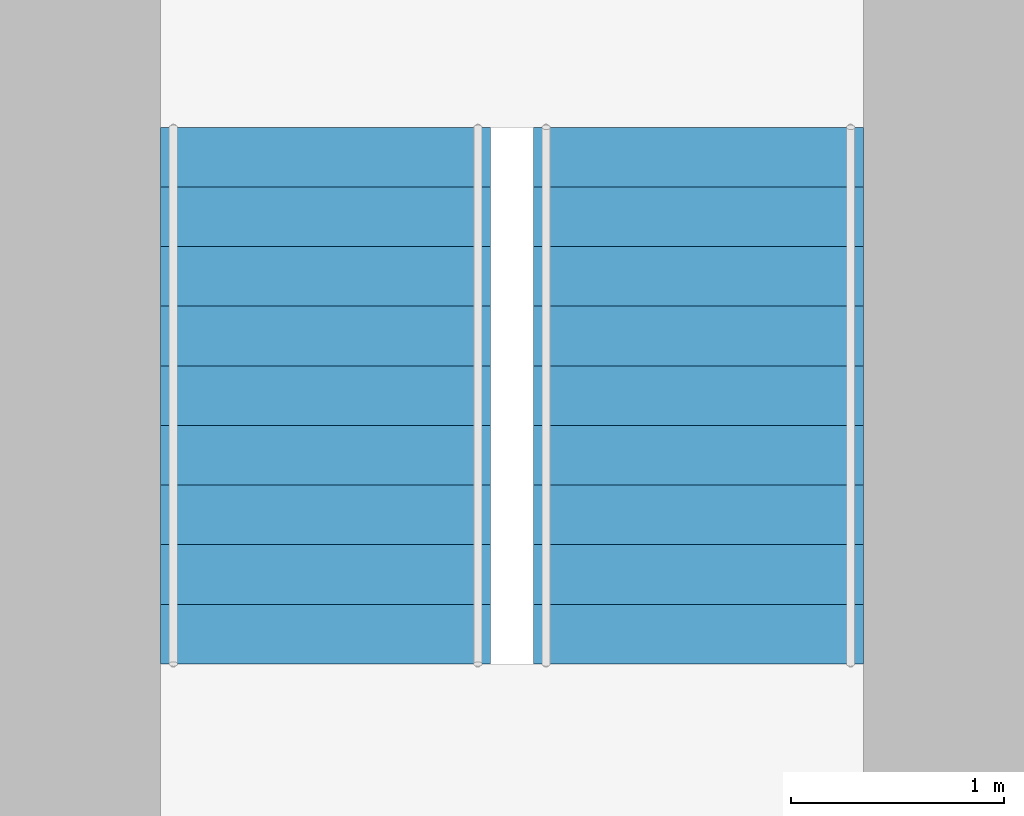
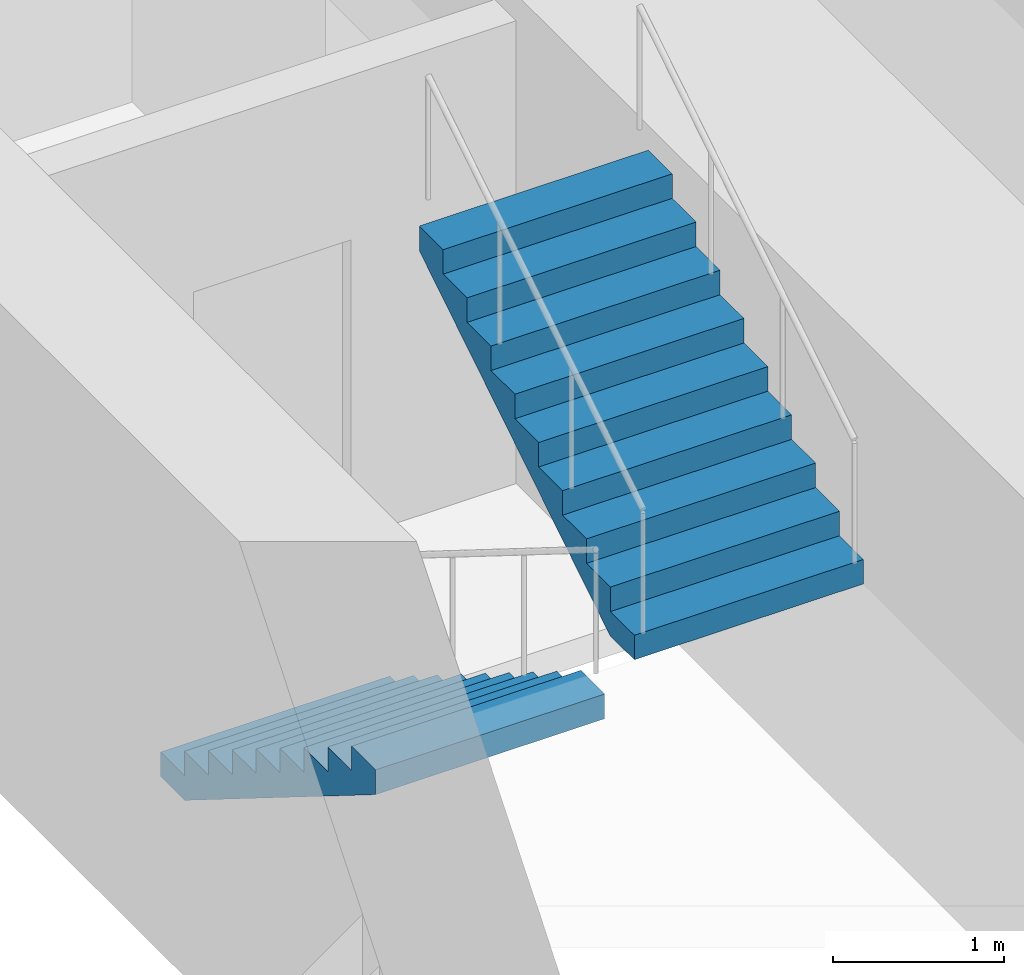
# One storey, part 10 of 11: 2 stair flights, 1 element without a shape of its own.
"""IFC4 building model written with IfcOpenShell, lengths in metres."""

from ifc_helpers import new_model, si_unit, direction, frame, origin, place, context, subcontext, project, spatial, polyline, outline, extrude, material, type_object, element, aggregate, save


model = new_model("IFC4")

# Units and contexts
model_context = context("Model", 3, precision=1e-05, world=origin(), true_north=direction((0.0, 1.0)))
body_context = subcontext(model_context, "Body", "Model", "MODEL_VIEW")
ifc_project = project(units=[si_unit("LENGTHUNIT", "METRE"), si_unit("AREAUNIT", "SQUARE_METRE"), si_unit("VOLUMEUNIT", "CUBIC_METRE"), si_unit("PLANEANGLEUNIT", "RADIAN"), si_unit("MASSUNIT", "GRAM", prefix="KILO")], contexts=[model_context])

# Site, building, storey
site_placement = place(None, origin())
site = spatial("IfcSite", under=ifc_project, at=site_placement, CompositionType="ELEMENT")
building_placement = place(site_placement, origin())
building = spatial("IfcBuilding", under=site, at=building_placement, Name="Trevanion Tower", CompositionType="ELEMENT")
storey_placement = place(building_placement, frame((0.0, 0.0, 239.699951171875)))
storey = spatial("IfcBuildingStorey", under=building, at=storey_placement, Name="L58", CompositionType="ELEMENT", Elevation=239.699951171875)

# Stair, stair flights
ifc_material_1 = material(Name="Concrete 5,000 psi on steel stringers", Category="concrete")
stair_type = type_object("IfcStairType", Name="ST stair", PredefinedType="HALF_TURN_STAIR", material=ifc_material_1)
stair_placement = place(storey_placement, origin())
stair = element("IfcStair", 1, at=stair_placement, inside=storey, type_object=stair_type, Name="ST1 L58", PredefinedType="HALF_TURN_STAIR")
ifc_material_2 = material(Name="Concrete 5,000 psi in steel pan", Category="concrete")
stair_flight_type = type_object("IfcStairFlightType", Name="STF stair flight", PredefinedType="STRAIGHT", material=ifc_material_2)
stair_flight_1_placement = place(storey_placement, frame((7.72509765625, 1.52490234375, 0.0), z_axis=(0.0, 0.0, 1.0), x_axis=(0.0, -1.0, 0.0)))
stair_flight_1 = element("IfcStairFlight", 2, at=stair_flight_1_placement, type_object=stair_flight_type, Name="ST1 flight 1", NumberOfRisers=10, NumberOfTreads=9, PredefinedType="STRAIGHT", RiserHeight=0.175, TreadLength=0.28, context=body_context, shape_type="SweptSolid", body=[
    extrude(outline(polyline([(0.0, 0.0), (0.0, 0.175048828125), (0.280029296875, 0.175048828125), (0.280029296875, 0.35009765625), (0.56005859375, 0.35009765625), (0.56005859375, 0.52490234375), (0.840087890625, 0.52490234375), (0.840087890625, 0.699951171875), (1.1201171875, 0.699951171875), (1.1201171875, 0.875), (1.39990234375, 0.875), (1.39990234375, 1.050048828125), (1.679931640625, 1.050048828125), (1.679931640625, 1.22509765625), (1.9599609375, 1.22509765625), (1.9599609375, 1.39990234375), (2.239990234375, 1.39990234375), (2.239990234375, 1.574951171875), (2.52001953125, 1.574951171875), (2.52001953125, 1.75), (2.52001953125, 1.398193359375), (0.28271484375, 0.0), (0.0, 0.0)])), frame((0.0, 0.77490234375, 0.0), z_axis=(0.0, -1.0, 0.0), x_axis=(1.0, 0.0, 0.0)), (0.0, 0.0, 1.0), 1.550048828125),
])
stair_flight_2_placement = place(storey_placement, frame((9.47509765625, -0.9951171875, 1.75), z_axis=(0.0, 0.0, 1.0), x_axis=(0.0, 1.0, 0.0)))
stair_flight_2 = element("IfcStairFlight", 3, at=stair_flight_2_placement, type_object=stair_flight_type, Name="ST1 flight 2", NumberOfRisers=10, NumberOfTreads=9, PredefinedType="STRAIGHT", RiserHeight=0.175, TreadLength=0.28, context=body_context, shape_type="SweptSolid", body=[
    extrude(outline(polyline([(0.0, 0.0), (0.0, 0.175048828125), (0.280029296875, 0.175048828125), (0.280029296875, 0.35009765625), (0.56005859375, 0.35009765625), (0.56005859375, 0.52490234375), (0.840087890625, 0.52490234375), (0.840087890625, 0.699951171875), (1.1201171875, 0.699951171875), (1.1201171875, 0.875), (1.39990234375, 0.875), (1.39990234375, 1.050048828125), (1.679931640625, 1.050048828125), (1.679931640625, 1.22509765625), (1.9599609375, 1.22509765625), (1.9599609375, 1.39990234375), (2.239990234375, 1.39990234375), (2.239990234375, 1.574951171875), (2.52001953125, 1.574951171875), (2.52001953125, 1.75), (2.52001953125, 1.398193359375), (0.28271484375, 0.0), (0.0, 0.0)])), frame((0.0, 0.77490234375, 0.0), z_axis=(0.0, -1.0, 0.0), x_axis=(1.0, 0.0, 0.0)), (0.0, 0.0, 1.0), 1.550048828125),
])
aggregate(stair, [stair_flight_1, stair_flight_2])

save(model, "model.ifc")
